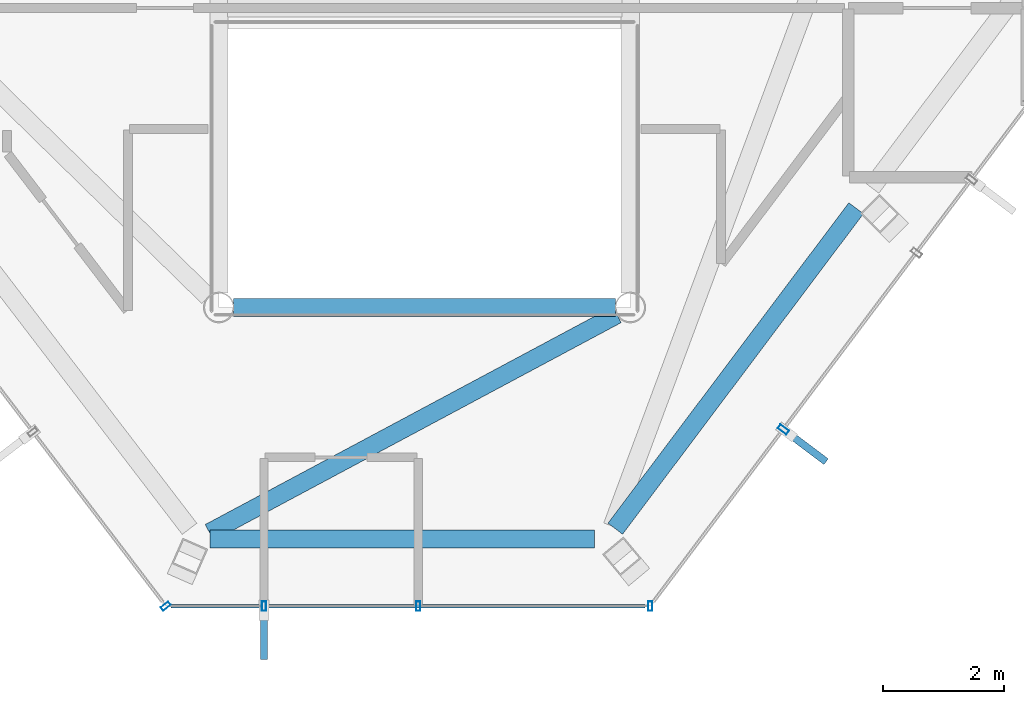
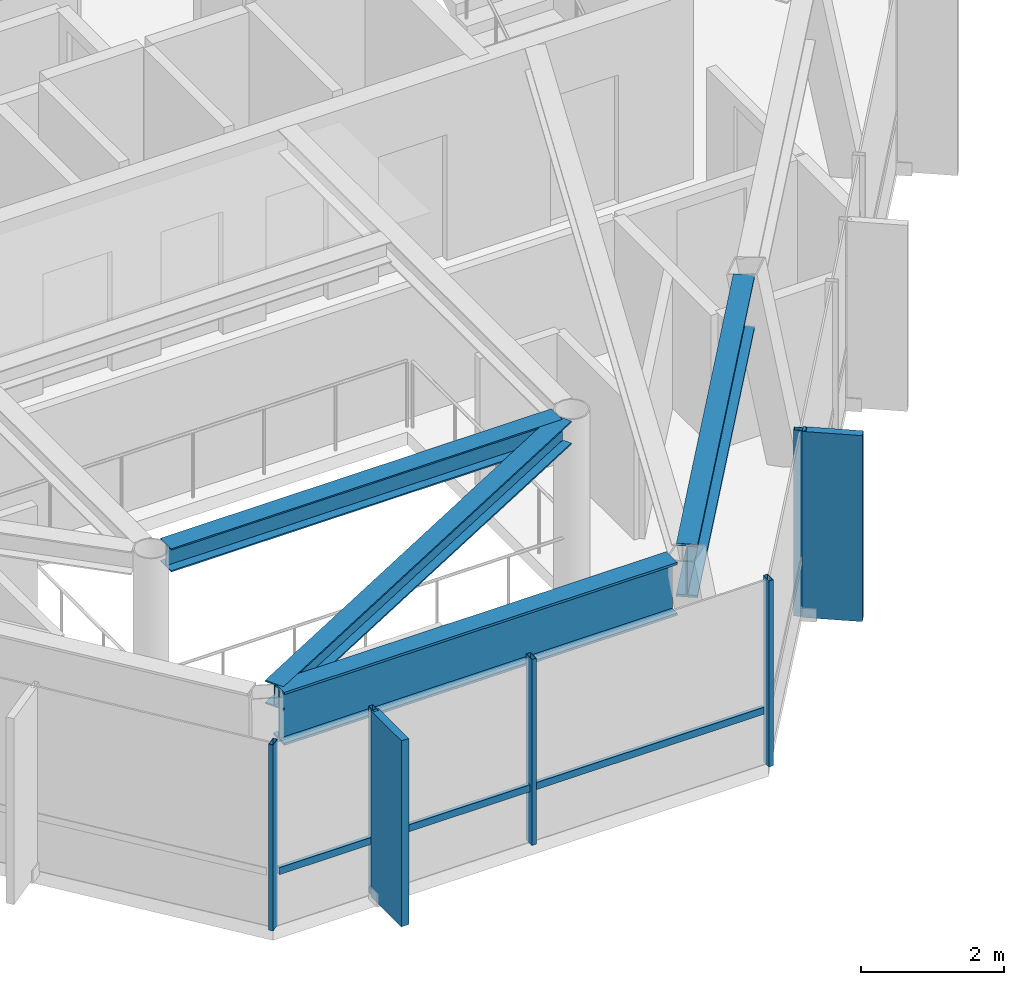
# One storey, part 7 of 22: 8 members, 4 beams, 3 elements without a shape of their own.
"""IFC4 building model written with IfcOpenShell, lengths in metres."""

from ifc_helpers import new_model, si_unit, direction, frame, origin, origin_2d, place, context, subcontext, project, spatial, rectangle, hollow_rectangle, i_section, extrude, material, layer, layer_set, material_profile, profile_set, type_object, element, aggregate, save


model = new_model("IFC4")

# Units and contexts
model_context = context("Model", 3, precision=1e-05, world=origin(), true_north=direction((0.0, 1.0)))
body_context = subcontext(model_context, "Body", "Model", "MODEL_VIEW")
ifc_project = project(units=[si_unit("LENGTHUNIT", "METRE"), si_unit("AREAUNIT", "SQUARE_METRE"), si_unit("VOLUMEUNIT", "CUBIC_METRE"), si_unit("PLANEANGLEUNIT", "RADIAN"), si_unit("MASSUNIT", "GRAM", prefix="KILO")], contexts=[model_context])

# Site, building, storey
site_placement = place(None, origin())
site = spatial("IfcSite", under=ifc_project, at=site_placement, CompositionType="ELEMENT")
building_placement = place(site_placement, origin())
building = spatial("IfcBuilding", under=site, at=building_placement, Name="Zarrinselat Tower", CompositionType="ELEMENT")
storey_placement = place(building_placement, frame((0.0, 0.0, 295.800048828125)))
storey = spatial("IfcBuildingStorey", under=building, at=storey_placement, Name="L76", CompositionType="ELEMENT", Elevation=295.800048828125)

# Beams
ifc_material_1 = material(Name="Steel S355J2", Category="steel")
ifc_material_profile_1 = material_profile(ifc_material_1, i_section(OverallWidth=0.300048828125, OverallDepth=0.39990234375, WebThickness=0.013427734375, FlangeThickness=0.02392578125, at=origin_2d()), Name="HEB 400")
ifc_profile_set_1 = profile_set([ifc_material_profile_1], Name="Steel S355J2")
beam_type_1 = type_object("IfcBeamType", Name="BM-HEB400", PredefinedType="BEAM", material=ifc_profile_set_1)
beam_1_placement = place(storey_placement, frame((35.239990234375, 25.199951171875, 2.97998046875), z_axis=(1.0, 0.0, 0.0), x_axis=(0.0, 1.0, 0.0)))
element("IfcBeam", 1, at=beam_1_placement, inside=storey, type_object=beam_type_1, Name="L76 Atrium Edge Beam S", PredefinedType="BEAM", context=body_context, shape_type="SweptSolid", body=[
    extrude(i_section(OverallWidth=0.300048828125, OverallDepth=0.39990234375, WebThickness=0.013427734375, FlangeThickness=0.02392578125, at=origin_2d()), origin(), (0.0, 0.0, 1.0), 6.320068359375),
])
beam_2_placement = place(storey_placement, frame((34.844970703125, 21.48046875, 2.97998046875), z_axis=(0.88182143271, 0.471583461132, 0.0), x_axis=(-0.471583461132, 0.88182143271, 0.0)))
element("IfcBeam", 2, at=beam_2_placement, inside=storey, type_object=beam_type_1, Name="L76 Radial Primary Girder RG10", PredefinedType="BEAM", context=body_context, shape_type="SweptSolid", body=[
    extrude(i_section(OverallWidth=0.300048828125, OverallDepth=0.39990234375, WebThickness=0.013427734375, FlangeThickness=0.02392578125, at=origin_2d()), origin(), (0.0, 0.0, 1.0), 7.63720703125),
])
ifc_material_2 = material(Name="Steel S460M", Category="steel")
ifc_material_profile_2 = material_profile(ifc_material_2, i_section(OverallWidth=0.302001953125, OverallDepth=0.909912109375, WebThickness=0.02099609375, FlangeThickness=0.0400390625, at=origin_2d()), Name="HEM 900")
ifc_profile_set_2 = profile_set([ifc_material_profile_2], Name="Steel S460M")
beam_type_2 = type_object("IfcBeamType", Name="BM-HEM900", PredefinedType="BEAM", material=ifc_profile_set_2)
beam_3_placement = place(storey_placement, frame((34.857666015625, 21.373291015625, 2.724853515625), z_axis=(1.0, 0.0, 0.0), x_axis=(0.0, 1.0, 0.0)))
element("IfcBeam", 3, at=beam_3_placement, inside=storey, type_object=beam_type_2, Name="L76 Perimeter Spandrel Girder SP10", PredefinedType="BEAM", context=body_context, shape_type="SweptSolid", body=[
    extrude(i_section(OverallWidth=0.302001953125, OverallDepth=0.909912109375, WebThickness=0.02099609375, FlangeThickness=0.0400390625, at=origin_2d()), origin(), (0.0, 0.0, 1.0), 6.35302734375),
])
beam_4_placement = place(storey_placement, frame((41.551513671875, 21.543701171875, 2.724853515625), z_axis=(0.600872084865, 0.799345193036, 0.0), x_axis=(-0.799345193036, 0.600872084865, 0.0)))
element("IfcBeam", 4, at=beam_4_placement, inside=storey, type_object=beam_type_2, Name="L76 Perimeter Spandrel Girder SP11", PredefinedType="BEAM", context=body_context, shape_type="SweptSolid", body=[
    extrude(i_section(OverallWidth=0.302001953125, OverallDepth=0.909912109375, WebThickness=0.02099609375, FlangeThickness=0.0400390625, at=origin_2d()), origin(), (0.0, 0.0, 1.0), 6.62646484375),
])

# Curtain wall, member
ifc_material_3 = material(Name="Extruded Aluminium Alloy EN AW-6063 T6", Category="aluminium")
ifc_layer_1 = layer(ifc_material_3, 0.199951171875)
ifc_layer_set_1 = layer_set([ifc_layer_1], Name="Extruded Aluminium Alloy EN AW-6063 T6")
curtain_wall_type_1 = type_object("IfcCurtainWallType", Name="CWS-BLADE", PredefinedType="NOTDEFINED", material=ifc_layer_set_1)
curtain_wall_1_placement = place(storey_placement, origin())
curtain_wall_1 = element("IfcCurtainWall", 5, at=curtain_wall_1_placement, inside=storey, type_object=curtain_wall_type_1, Name="L76 Unitised Curtain Wall CW-L76-E05", PredefinedType="NOTDEFINED")
ifc_material_4 = material(Name="Extruded Aluminium Alloy EN AW-6063 T6", Category="aluminium")
ifc_material_profile_3 = material_profile(ifc_material_4, hollow_rectangle(XDim=0.080078125, YDim=0.179931640625, WallThickness=0.0048828125, at=origin_2d()), Name="RHS 180x80x5")
ifc_profile_set_3 = profile_set([ifc_material_profile_3], Name="Extruded Aluminium Alloy EN AW-6063 T6")
member_type_1 = type_object("IfcMemberType", Name="MEM-CW-MUL", PredefinedType="MULLION", material=ifc_profile_set_3)
member_1_placement = place(storey_placement, frame((44.32958984375, 23.184326171875, 0.0), z_axis=(0.0, 0.0, 1.0), x_axis=(0.601672649155, 0.798742776655, 0.0)))
member_1 = element("IfcMember", 6, at=member_1_placement, type_object=member_type_1, Name="CW-L76-E05 Mullion 1", PredefinedType="MULLION", context=body_context, shape_type="SweptSolid", body=[
    extrude(hollow_rectangle(XDim=0.080078125, YDim=0.179931640625, WallThickness=0.0048828125, at=origin_2d()), origin(), (0.0, 0.0, 1.0), 3.179931640625),
])

ifc_material_5 = material(Name="Extruded Aluminium Alloy EN AW-6063 T6", Category="aluminium")
ifc_layer_2 = layer(ifc_material_5, 0.169921875)
ifc_layer_set_2 = layer_set([ifc_layer_2], Name="Extruded Aluminium Alloy EN AW-6063 T6")
curtain_wall_type_2 = type_object("IfcCurtainWallType", Name="CWS-RES", PredefinedType="NOTDEFINED", material=ifc_layer_set_2)
curtain_wall_2_placement = place(storey_placement, origin())
curtain_wall_2 = element("IfcCurtainWall", 7, at=curtain_wall_2_placement, inside=storey, type_object=curtain_wall_type_2, Name="L76 Unitised Curtain Wall CW-L76-E03", PredefinedType="NOTDEFINED")
ifc_material_6 = material(Name="Extruded Aluminium Alloy EN AW-6063 T6", Category="aluminium")
ifc_material_profile_4 = material_profile(ifc_material_6, hollow_rectangle(XDim=0.070068359375, YDim=0.159912109375, WallThickness=0.00390625, at=origin_2d()), Name="RHS 160x70x4")
ifc_profile_set_4 = profile_set([ifc_material_profile_4], Name="Extruded Aluminium Alloy EN AW-6063 T6")
member_type_2 = type_object("IfcMemberType", Name="MEM-CW-MUL2", PredefinedType="MULLION", material=ifc_profile_set_4)
member_2_placement = place(storey_placement, frame((34.12158203125, 20.26416015625, 0.0), z_axis=(0.0, 0.0, 1.0), x_axis=(0.606801746242, -0.794853219631, 0.0)))
member_2 = element("IfcMember", 8, at=member_2_placement, type_object=member_type_2, Name="CW-L76-E03 Mullion 10", PredefinedType="MULLION", context=body_context, shape_type="SweptSolid", body=[
    extrude(hollow_rectangle(XDim=0.070068359375, YDim=0.159912109375, WallThickness=0.00390625, at=origin_2d()), origin(), (0.0, 0.0, 1.0), 3.179931640625),
])
aggregate(curtain_wall_2, [member_2])

# Curtain wall, members
curtain_wall_3_placement = place(storey_placement, origin())
curtain_wall_3 = element("IfcCurtainWall", 9, at=curtain_wall_3_placement, inside=storey, type_object=curtain_wall_type_2, Name="L76 Unitised Curtain Wall CW-L76-E04", PredefinedType="NOTDEFINED")
member_3_placement = place(storey_placement, frame((35.74609375, 20.26416015625, 0.0), z_axis=(0.0, 0.0, 1.0), x_axis=(1.0, 0.0, 0.0)))
member_3 = element("IfcMember", 10, at=member_3_placement, type_object=member_type_2, Name="CW-L76-E04 Mullion 1", PredefinedType="MULLION", context=body_context, shape_type="SweptSolid", body=[
    extrude(hollow_rectangle(XDim=0.070068359375, YDim=0.159912109375, WallThickness=0.00390625, at=origin_2d()), origin(), (0.0, 0.0, 1.0), 3.179931640625),
])
member_4_placement = place(storey_placement, frame((38.296142578125, 20.26416015625, 0.0), z_axis=(0.0, 0.0, 1.0), x_axis=(1.0, 0.0, 0.0)))
member_4 = element("IfcMember", 11, at=member_4_placement, type_object=member_type_2, Name="CW-L76-E04 Mullion 2", PredefinedType="MULLION", context=body_context, shape_type="SweptSolid", body=[
    extrude(hollow_rectangle(XDim=0.070068359375, YDim=0.159912109375, WallThickness=0.00390625, at=origin_2d()), origin(), (0.0, 0.0, 1.0), 3.179931640625),
])
member_5_placement = place(storey_placement, frame((42.1298828125, 20.26416015625, 0.0), z_axis=(0.0, 0.0, 1.0), x_axis=(1.0, 0.0, 0.0)))
member_5 = element("IfcMember", 12, at=member_5_placement, type_object=member_type_2, Name="CW-L76-E04 Mullion 3", PredefinedType="MULLION", context=body_context, shape_type="SweptSolid", body=[
    extrude(hollow_rectangle(XDim=0.070068359375, YDim=0.159912109375, WallThickness=0.00390625, at=origin_2d()), origin(), (0.0, 0.0, 1.0), 3.179931640625),
])
ifc_material_7 = material(Name="Extruded Aluminium Alloy EN AW-6063 T6", Category="aluminium")
ifc_material_profile_5 = material_profile(ifc_material_7, hollow_rectangle(XDim=0.06005859375, YDim=0.1201171875, WallThickness=0.00390625, at=origin_2d()), Name="RHS 120x60x4")
ifc_profile_set_5 = profile_set([ifc_material_profile_5], Name="Extruded Aluminium Alloy EN AW-6063 T6")
member_type_3 = type_object("IfcMemberType", Name="MEM-CW-TRN2", PredefinedType="USERDEFINED", material=ifc_profile_set_5)
member_6_placement = place(storey_placement, frame((34.211669921875, 20.26416015625, 0.949951171875), z_axis=(1.0, 0.0, 0.0), x_axis=(0.0, 1.0, 0.0)))
member_6 = element("IfcMember", 13, at=member_6_placement, type_object=member_type_3, Name="CW-L76-E04 Transom 1", ObjectType="TRANSOM", PredefinedType="USERDEFINED", context=body_context, shape_type="SweptSolid", body=[
    extrude(hollow_rectangle(XDim=0.06005859375, YDim=0.1201171875, WallThickness=0.00390625, at=origin_2d()), origin(), (0.0, 0.0, 1.0), 7.828125),
])
ifc_material_8 = material(Name="Honed Cream Travertine Stone", Category="masonry")
ifc_material_profile_6 = material_profile(ifc_material_8, rectangle(XDim=0.1201171875, YDim=0.85009765625, at=origin_2d()), Name="FIN 850x120")
ifc_profile_set_6 = profile_set([ifc_material_profile_6], Name="Honed Cream Travertine Stone")
member_type_4 = type_object("IfcMemberType", Name="MEM-STONE-FIN", PredefinedType="USERDEFINED", material=ifc_profile_set_6)
member_7_placement = place(storey_placement, frame((35.74609375, 19.80419921875, 0.0), z_axis=(0.0, 0.0, 1.0), x_axis=(-1.0, 0.0, 0.0)))
member_7 = element("IfcMember", 14, at=member_7_placement, type_object=member_type_4, Name="L76 Stone Shading Fin CW-L76-E04-01", ObjectType="FIN", PredefinedType="USERDEFINED", context=body_context, shape_type="SweptSolid", body=[
    extrude(rectangle(XDim=0.1201171875, YDim=0.85009765625, at=origin_2d()), origin(), (0.0, 0.0, 1.0), 3.179931640625),
])
aggregate(curtain_wall_3, [member_3, member_7, member_4, member_5, member_6])

# Member
member_8_placement = place(storey_placement, frame((44.697021484375, 22.90771484375, 0.0), z_axis=(0.0, 0.0, 1.0), x_axis=(-0.601672649155, -0.798742776655, 0.0)))
member_8 = element("IfcMember", 15, at=member_8_placement, type_object=member_type_4, Name="L76 Stone Shading Fin CW-L76-E05-01", ObjectType="FIN", PredefinedType="USERDEFINED", context=body_context, shape_type="SweptSolid", body=[
    extrude(rectangle(XDim=0.1201171875, YDim=0.85009765625, at=origin_2d()), origin(), (0.0, 0.0, 1.0), 3.179931640625),
])

aggregate(curtain_wall_1, [member_1, member_8])

save(model, "model.ifc")
